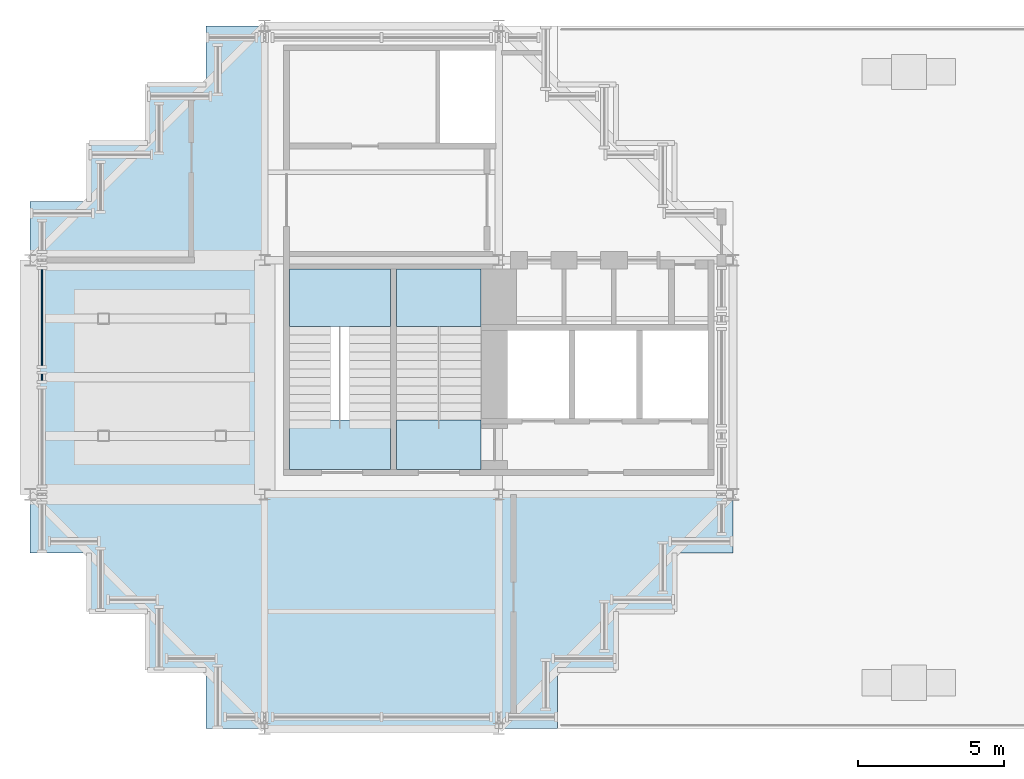
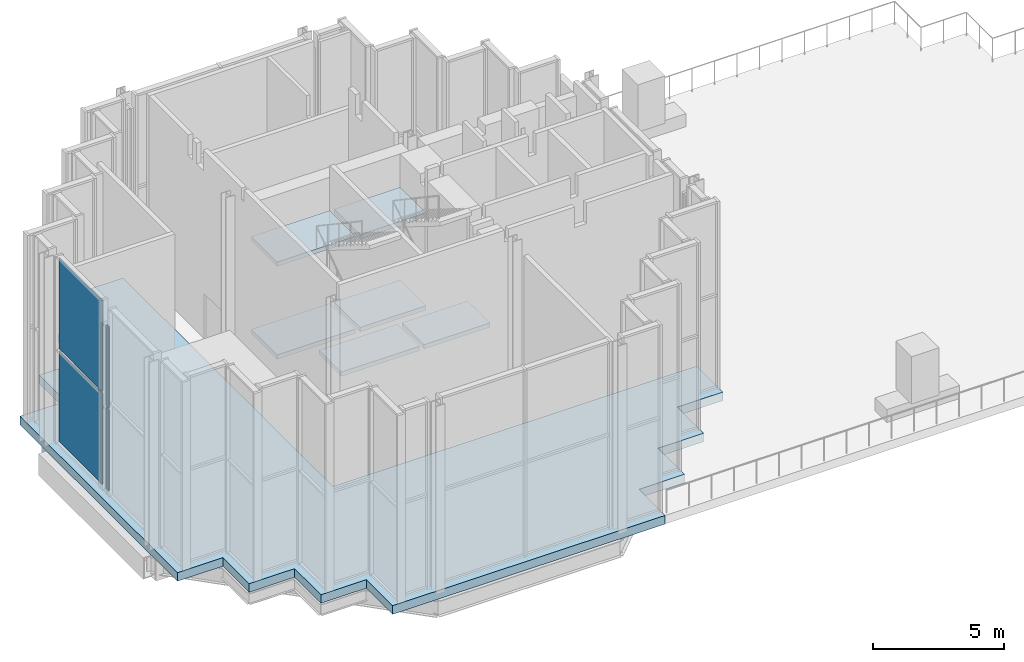
# One storey, part 7 of 15: 7 slabs, 4 plates, 4 elements without a shape of their own.
"""IFC4 building model written with IfcOpenShell, lengths in metres."""

from ifc_helpers import new_model, si_unit, direction, frame, origin, origin_2d, place, context, subcontext, project, spatial, polyline, rectangle, outline, extrude, material, layer, layer_set, type_object, element, aggregate, save


model = new_model("IFC4")

# Units and contexts
model_context = context("Model", 3, precision=1e-05, world=origin(), true_north=direction((0.0, 1.0)))
body_context = subcontext(model_context, "Body", "Model", "MODEL_VIEW")
ifc_project = project(units=[si_unit("LENGTHUNIT", "METRE"), si_unit("AREAUNIT", "SQUARE_METRE"), si_unit("VOLUMEUNIT", "CUBIC_METRE"), si_unit("PLANEANGLEUNIT", "RADIAN"), si_unit("MASSUNIT", "GRAM", prefix="KILO")], contexts=[model_context])

# Site, building, storey
site_placement = place(None, origin())
site = spatial("IfcSite", under=ifc_project, at=site_placement, CompositionType="ELEMENT")
building_placement = place(site_placement, origin())
building = spatial("IfcBuilding", under=site, at=building_placement, Name="Immortelle Media Tower", CompositionType="ELEMENT")
storey_placement = place(building_placement, frame((0.0, 0.0, 299.0)))
storey = spatial("IfcBuildingStorey", under=building, at=storey_placement, Name="L66", CompositionType="ELEMENT", Elevation=299.0)

# Slab
ifc_material_1 = material(Name="Concrete C50/60", Category="concrete")
ifc_layer_1 = layer(ifc_material_1, 0.39990234375)
ifc_layer_set_1 = layer_set([ifc_layer_1], Name="Concrete C50/60")
slab_type_1 = type_object("IfcSlabType", Name="Floor slab 400", PredefinedType="FLOOR", material=ifc_layer_set_1)
slab_1_placement = place(storey_placement, frame((0.0, 0.0, -0.39990234375)))
element("IfcSlab", 1, at=slab_1_placement, inside=storey, type_object=slab_type_1, Name="Floor slab L66", PredefinedType="FLOOR", context=body_context, shape_type="SweptSolid", body=[
    extrude(outline(polyline([(24.0, 6.0), (22.0, 6.0), (22.0, 4.0), (20.0, 4.0), (20.0, 2.0), (18.0, 2.0), (18.0, 0.0), (6.0, 0.0), (6.0, 2.0), (4.0, 2.0), (4.0, 4.0), (2.0, 4.0), (2.0, 6.0), (0.0, 6.0), (0.0, 18.0), (2.0, 18.0), (2.0, 20.0), (4.0, 20.0), (4.0, 22.0), (6.0, 22.0), (6.0, 24.0), (8.0, 24.0), (8.0, 8.0), (24.0, 8.0), (24.0, 6.0)])), origin(), (0.0, 0.0, 1.0), 0.39990234375),
])

# Curtain wall, plates
ifc_material_2 = material(Name="Aluminium curtain wall system", Category="aluminium")
curtain_wall_type = type_object("IfcCurtainWallType", Name="Damper hall glazing curtain wall", PredefinedType="NOTDEFINED", material=ifc_material_2)
curtain_wall_1_placement = place(storey_placement, origin())
curtain_wall_1 = element("IfcCurtainWall", 2, at=curtain_wall_1_placement, inside=storey, type_object=curtain_wall_type, Name="Damper hall glazing L66 W 21-3", PredefinedType="NOTDEFINED")
ifc_material_3 = material(Name="Warm-lit low-E double glazing", Category="glass")
ifc_layer_2 = layer(ifc_material_3, 0.0439453125)
ifc_layer_set_2 = layer_set([ifc_layer_2], Name="Warm-lit low-E double glazing")
plate_type = type_object("IfcPlateType", Name="Laminated solar control glazed panel 44 mm", PredefinedType="CURTAIN_PANEL", material=ifc_layer_set_2)
plate_1_placement = place(storey_placement, frame((0.39990234375, 14.03564453125, 0.10009765625), z_axis=(0.0, 0.0, 1.0), x_axis=(0.0, -1.0, 0.0)))
plate_1 = element("IfcPlate", 3, at=plate_1_placement, type_object=plate_type, Name="CW5 panel 1.1", PredefinedType="CURTAIN_PANEL", context=body_context, shape_type="SweptSolid", body=[
    extrude(rectangle(XDim=3.281494140625, YDim=0.0439453125, at=origin_2d()), origin(), (0.0, 0.0, 1.0), 4.224853515625),
])
plate_2_placement = place(storey_placement, frame((0.39990234375, 14.03564453125, 4.4248046875), z_axis=(0.0, 0.0, 1.0), x_axis=(0.0, -1.0, 0.0)))
plate_2 = element("IfcPlate", 4, at=plate_2_placement, type_object=plate_type, Name="CW5 panel 1.2", PredefinedType="CURTAIN_PANEL", context=body_context, shape_type="SweptSolid", body=[
    extrude(rectangle(XDim=3.281494140625, YDim=0.0439453125, at=origin_2d()), origin(), (0.0, 0.0, 1.0), 4.224853515625),
])
aggregate(curtain_wall_1, [plate_1, plate_2])

curtain_wall_2_placement = place(storey_placement, origin())
curtain_wall_2 = element("IfcCurtainWall", 5, at=curtain_wall_2_placement, inside=storey, type_object=curtain_wall_type, Name="Damper hall glazing L66 W 21-4", PredefinedType="NOTDEFINED")
plate_3_placement = place(storey_placement, frame((0.39990234375, 12.0, 0.10009765625), z_axis=(0.0, 0.0, 1.0), x_axis=(0.0, -1.0, 0.0)))
plate_3 = element("IfcPlate", 6, at=plate_3_placement, type_object=plate_type, Name="CW5 panel 1.1", PredefinedType="CURTAIN_PANEL", context=body_context, shape_type="SweptSolid", body=[
    extrude(rectangle(XDim=0.2099609375, YDim=0.0439453125, at=origin_2d()), origin(), (0.0, 0.0, 1.0), 3.749755859375),
])
plate_4_placement = place(storey_placement, frame((0.39990234375, 12.0, 3.94970703125), z_axis=(0.0, 0.0, 1.0), x_axis=(0.0, -1.0, 0.0)))
plate_4 = element("IfcPlate", 7, at=plate_4_placement, type_object=plate_type, Name="CW5 panel 1.2", PredefinedType="CURTAIN_PANEL", context=body_context, shape_type="SweptSolid", body=[
    extrude(rectangle(XDim=0.2099609375, YDim=0.0439453125, at=origin_2d()), origin(), (0.0, 0.0, 1.0), 3.749755859375),
])
aggregate(curtain_wall_2, [plate_3, plate_4])

# Stair, slabs
ifc_material_4 = material(Name="Steel ASTM A992 Gr 50", Category="steel")
stair_type = type_object("IfcStairType", Name="Stair with flights", PredefinedType="DOUBLE_RETURN_STAIR", material=ifc_material_4)
stair_1_placement = place(storey_placement, origin())
stair_1 = element("IfcStair", 8, at=stair_1_placement, inside=storey, type_object=stair_type, Name="Exit stair SW1", PredefinedType="DOUBLE_RETURN_STAIR")
ifc_material_5 = material(Name="Steel ASTM A572 Gr 50", Category="steel")
ifc_layer_3 = layer(ifc_material_5, 0.199951171875)
ifc_layer_set_3 = layer_set([ifc_layer_3], Name="Steel ASTM A572 Gr 50")
slab_type_2 = type_object("IfcSlabType", Name="Stair landing 200", PredefinedType="LANDING", material=ifc_layer_set_3)
slab_2_placement = place(storey_placement, frame((0.0, 0.0, 2.139892578125)))
slab_2 = element("IfcSlab", 9, at=slab_2_placement, type_object=slab_type_2, Name="ST SW1 landing 1", PredefinedType="LANDING", context=body_context, shape_type="SweptSolid", body=[
    extrude(outline(polyline([(8.85009765625, 13.72998046875), (12.300048828125, 13.72998046875), (12.300048828125, 15.699951171875), (8.85009765625, 15.699951171875), (8.85009765625, 13.72998046875)])), origin(), (0.0, 0.0, 1.0), 0.2001953125),
])
slab_3_placement = place(storey_placement, frame((0.0, 0.0, 4.300048828125)))
slab_3 = element("IfcSlab", 10, at=slab_3_placement, type_object=slab_type_2, Name="ST SW1 landing 2", PredefinedType="LANDING", context=body_context, shape_type="SweptSolid", body=[
    extrude(outline(polyline([(8.85009765625, 8.85009765625), (12.300048828125, 8.85009765625), (12.300048828125, 10.5400390625), (8.85009765625, 10.5400390625), (8.85009765625, 8.85009765625)])), origin(), (0.0, 0.0, 1.0), 0.199951171875),
])
slab_4_placement = place(storey_placement, frame((0.0, 0.0, 6.4599609375)))
slab_4 = element("IfcSlab", 11, at=slab_4_placement, type_object=slab_type_2, Name="ST SW1 landing 3", PredefinedType="LANDING", context=body_context, shape_type="SweptSolid", body=[
    extrude(outline(polyline([(8.85009765625, 13.72998046875), (12.300048828125, 13.72998046875), (12.300048828125, 15.699951171875), (8.85009765625, 15.699951171875), (8.85009765625, 13.72998046875)])), origin(), (0.0, 0.0, 1.0), 0.199951171875),
])
aggregate(stair_1, [slab_2, slab_3, slab_4])

stair_2_placement = place(storey_placement, origin())
stair_2 = element("IfcStair", 12, at=stair_2_placement, inside=storey, type_object=stair_type, Name="Exit stair SW2", PredefinedType="DOUBLE_RETURN_STAIR")
slab_5_placement = place(storey_placement, frame((0.0, 0.0, 2.139892578125)))
slab_5 = element("IfcSlab", 13, at=slab_5_placement, type_object=slab_type_2, Name="ST SW2 landing 1", PredefinedType="LANDING", context=body_context, shape_type="SweptSolid", body=[
    extrude(outline(polyline([(12.5, 13.72998046875), (15.39990234375, 13.72998046875), (15.39990234375, 15.699951171875), (12.5, 15.699951171875), (12.5, 13.72998046875)])), origin(), (0.0, 0.0, 1.0), 0.2001953125),
])
slab_6_placement = place(storey_placement, frame((0.0, 0.0, 4.300048828125)))
slab_6 = element("IfcSlab", 14, at=slab_6_placement, type_object=slab_type_2, Name="ST SW2 landing 2", PredefinedType="LANDING", context=body_context, shape_type="SweptSolid", body=[
    extrude(outline(polyline([(12.5, 8.85009765625), (15.39990234375, 8.85009765625), (15.39990234375, 10.5400390625), (12.5, 10.5400390625), (12.5, 8.85009765625)])), origin(), (0.0, 0.0, 1.0), 0.199951171875),
])
slab_7_placement = place(storey_placement, frame((0.0, 0.0, 6.4599609375)))
slab_7 = element("IfcSlab", 15, at=slab_7_placement, type_object=slab_type_2, Name="ST SW2 landing 3", PredefinedType="LANDING", context=body_context, shape_type="SweptSolid", body=[
    extrude(outline(polyline([(12.5, 13.72998046875), (15.39990234375, 13.72998046875), (15.39990234375, 15.699951171875), (12.5, 15.699951171875), (12.5, 13.72998046875)])), origin(), (0.0, 0.0, 1.0), 0.199951171875),
])
aggregate(stair_2, [slab_5, slab_6, slab_7])

save(model, "model.ifc")
